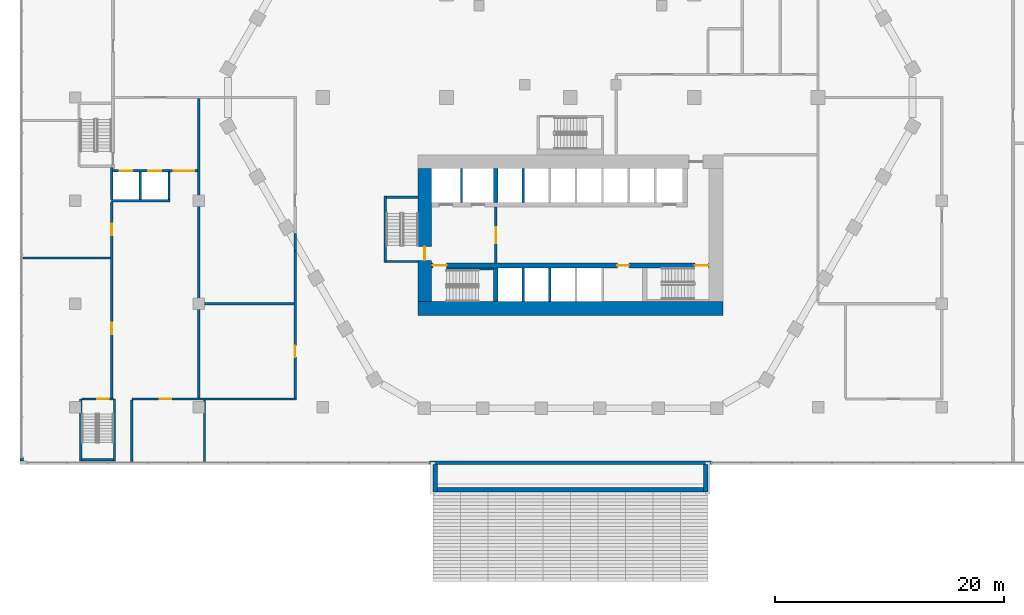
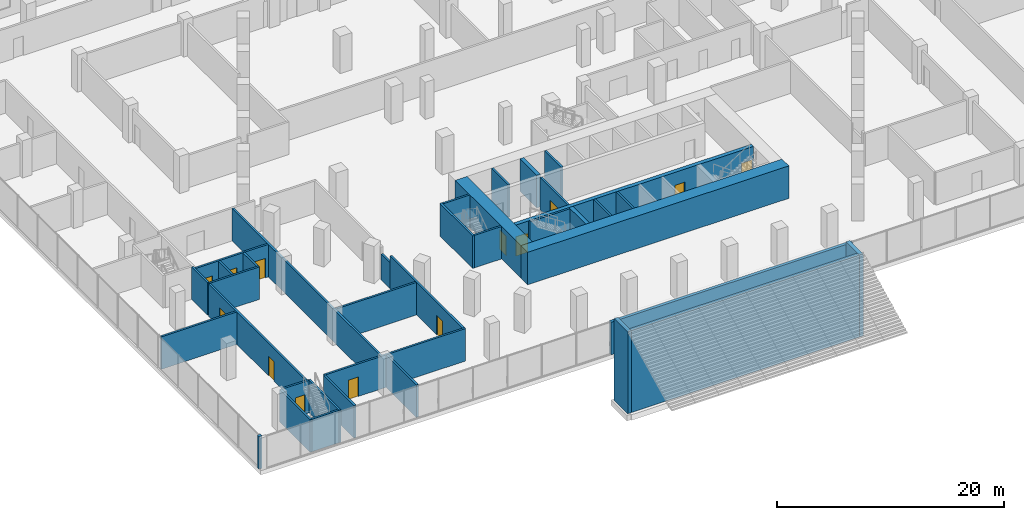
# One storey, part 14 of 45: 38 walls, 13 doors, 13 openings.
"""IFC4 building model written with IfcOpenShell, lengths in metres."""

from ifc_helpers import new_model, si_unit, direction, frame, frame_2d, origin, place, context, subcontext, project, spatial, rectangle, extrude, material, layer, layer_set, type_object, element, fill, save


model = new_model("IFC4")

# Units and contexts
model_context = context("Model", 3, precision=1e-05, world=origin(), true_north=direction((0.0, 1.0)))
body_context = subcontext(model_context, "Body", "Model", "MODEL_VIEW")
ifc_project = project(units=[si_unit("LENGTHUNIT", "METRE"), si_unit("AREAUNIT", "SQUARE_METRE"), si_unit("VOLUMEUNIT", "CUBIC_METRE"), si_unit("PLANEANGLEUNIT", "RADIAN"), si_unit("MASSUNIT", "GRAM", prefix="KILO")], contexts=[model_context])

# Site, building, storey
site_placement = place(None, origin())
site = spatial("IfcSite", under=ifc_project, at=site_placement, CompositionType="ELEMENT")
building_placement = place(site_placement, origin())
building = spatial("IfcBuilding", under=site, at=building_placement, Name="Beryl Residences", CompositionType="ELEMENT")
storey_placement = place(building_placement, frame((0.0, 0.0, 5.0)))
storey = spatial("IfcBuildingStorey", under=building, at=storey_placement, Name="L01", CompositionType="ELEMENT", Elevation=5.0)

# Walls
ifc_material_1 = material(Name="Composite metal panel with mineral wool insulation")
ifc_layer_1 = layer(ifc_material_1, 0.300048828125)
ifc_layer_set_1 = layer_set([ifc_layer_1], Name="ES1 pale metal composite panel wall 300 mm")
wall_type_1 = type_object("IfcWallType", Name="ES1 pale metal composite panel wall 300 mm", PredefinedType="SOLIDWALL", material=ifc_layer_set_1)
wall_1_placement = place(storey_placement, frame((-12.300048828125, -31.85009765625, 0.0), z_axis=(0.0, 0.0, 1.0), x_axis=(1.0, 0.0, 0.0)))
element("IfcWall", 1, at=wall_1_placement, inside=storey, type_object=wall_type_1, Name="ES1 external wall L01 S 3", PredefinedType="SOLIDWALL", context=body_context, shape_type="SweptSolid", body=[
    extrude(rectangle(XDim=24.60009765625, YDim=0.300048828125, at=frame_2d((12.300048828125, 0.0))), origin(), (0.0, 0.0, 1.0), 3.5),
])
wall_2_placement = place(storey_placement, frame((-47.85009765625, -31.39990234375, 0.0), z_axis=(0.0, 0.0, 1.0), x_axis=(0.0, -1.0, 0.0)))
element("IfcWall", 2, at=wall_2_placement, inside=storey, type_object=wall_type_1, Name="ES1 external wall L01 W 3", PredefinedType="SOLIDWALL", context=body_context, shape_type="SweptSolid", body=[
    extrude(rectangle(XDim=0.300048828125, YDim=0.300048828125, at=frame_2d((0.14990234375, 0.0))), origin(), (0.0, 0.0, 1.0), 3.5),
])

# Wall, opening, door
ifc_material_2 = material(Name="Double stud gypsum board wall")
ifc_layer_2 = layer(ifc_material_2, 0.199951171875)
ifc_layer_set_2 = layer_set([ifc_layer_2], Name="PT10 tenancy wall 200 mm")
wall_type_2 = type_object("IfcWallType", Name="PT10 tenancy wall 200 mm", PredefinedType="PARTITIONING", material=ifc_layer_set_2)
wall_3_placement = place(storey_placement, frame((-38.25, -26.300048828125, 0.0), z_axis=(0.0, 0.0, 1.0), x_axis=(1.0, 0.0, 0.0)))
wall_3 = element("IfcWall", 3, at=wall_3_placement, inside=storey, type_object=wall_type_2, Name="Wall PT10 L01 001", PredefinedType="PARTITIONING", context=body_context, shape_type="SweptSolid", body=[
    extrude(rectangle(XDim=14.35009765625, YDim=0.199951171875, at=frame_2d((7.175048828125, 0.0))), origin(), (0.0, 0.0, 1.0), 3.5),
])
opening_1_placement = place(wall_3_placement, frame((3.424072265625, 0.0, 0.0), z_axis=(0.0, 0.0, 1.0), x_axis=(-1.0, 0.0, 0.0)))
opening_1 = element("IfcOpeningElement", 4, at=opening_1_placement, cuts=wall_3, Name="Opening L01-06", PredefinedType="OPENING", context=body_context, shape_type="SweptSolid", body=[
    extrude(rectangle(XDim=1.0, YDim=2.10009765625, at=frame_2d((0.5, 1.050048828125))), frame((0.0, 0.10986328125, 0.0), z_axis=(0.0, -1.0, 0.0), x_axis=(1.0, 0.0, 0.0)), (0.0, 0.0, 1.0), 0.219970703125),
])
ifc_material_3 = material(Name="Timber door leaf", Category="wood")
door_type_1 = type_object("IfcDoorType", Name="D9 corridor door 1000 x 2100 mm", OperationType="SINGLE_SWING_LEFT", PredefinedType="DOOR", material=ifc_material_3)
door_1_placement = place(opening_1_placement, origin())
door_1 = element("IfcDoor", 5, at=door_1_placement, inside=storey, type_object=door_type_1, Name="Door L01-06 L01 001", OperationType="SINGLE_SWING_LEFT", OverallHeight=2.10009765625, OverallWidth=1.0, PredefinedType="DOOR", context=body_context, shape_type="SweptSolid", body=[
    extrude(rectangle(XDim=1.0, YDim=2.10009765625, at=frame_2d((0.5, 1.050048828125))), frame((0.0, 0.02490234375, 0.0), z_axis=(0.0, -1.0, 0.0), x_axis=(1.0, 0.0, 0.0)), (0.0, 0.0, 1.0), 0.050048828125),
])
fill(opening_1, door_1)

# Walls
wall_4_placement = place(storey_placement, frame((-32.300048828125, -18.0, 0.0), z_axis=(0.0, 0.0, 1.0), x_axis=(1.0, 0.0, 0.0)))
element("IfcWall", 6, at=wall_4_placement, inside=storey, type_object=wall_type_2, Name="Wall PT10 L01 003", PredefinedType="PARTITIONING", context=body_context, shape_type="SweptSolid", body=[
    extrude(rectangle(XDim=8.199951171875, YDim=0.199951171875, at=frame_2d((4.10009765625, 0.0))), origin(), (0.0, 0.0, 1.0), 3.5),
])
wall_5_placement = place(storey_placement, frame((-47.75, -14.0, 0.0), z_axis=(0.0, 0.0, 1.0), x_axis=(1.0, 0.0, 0.0)))
element("IfcWall", 7, at=wall_5_placement, inside=storey, type_object=wall_type_2, Name="Wall PT10 L01 005", PredefinedType="PARTITIONING", context=body_context, shape_type="SweptSolid", body=[
    extrude(rectangle(XDim=7.64990234375, YDim=0.199951171875, at=frame_2d((3.824951171875, 0.0))), origin(), (0.0, 0.0, 1.0), 3.5),
])

# Wall, openings, doors
wall_6_placement = place(storey_placement, frame((-40.0, -26.199951171875, 0.0), z_axis=(0.0, 0.0, 1.0), x_axis=(0.0, 1.0, 0.0)))
wall_6 = element("IfcWall", 8, at=wall_6_placement, inside=storey, type_object=wall_type_2, Name="Wall PT10 L01 031", PredefinedType="PARTITIONING", context=body_context, shape_type="SweptSolid", body=[
    extrude(rectangle(XDim=17.079833984375, YDim=0.199951171875, at=frame_2d((8.5400390625, 0.0))), origin(), (0.0, 0.0, 1.0), 3.5),
])
opening_2_placement = place(wall_6_placement, frame((5.552001953125, 0.0, 0.0)))
opening_2 = element("IfcOpeningElement", 9, at=opening_2_placement, cuts=wall_6, Name="Opening L01-01", PredefinedType="OPENING", context=body_context, shape_type="SweptSolid", body=[
    extrude(rectangle(XDim=1.0, YDim=2.10009765625, at=frame_2d((0.5, 1.050048828125))), frame((0.0, 0.10986328125, 0.0), z_axis=(0.0, -1.0, 0.0), x_axis=(1.0, 0.0, 0.0)), (0.0, 0.0, 1.0), 0.219970703125),
])
opening_3_placement = place(wall_6_placement, frame((14.197998046875, 0.0, 0.0)))
opening_3 = element("IfcOpeningElement", 10, at=opening_3_placement, cuts=wall_6, Name="Opening L01-02", PredefinedType="OPENING", context=body_context, shape_type="SweptSolid", body=[
    extrude(rectangle(XDim=1.0, YDim=2.10009765625, at=frame_2d((0.5, 1.050048828125))), frame((0.0, 0.10986328125, 0.0), z_axis=(0.0, -1.0, 0.0), x_axis=(1.0, 0.0, 0.0)), (0.0, 0.0, 1.0), 0.219970703125),
])
door_2_placement = place(opening_2_placement, origin())
door_2 = element("IfcDoor", 11, at=door_2_placement, inside=storey, type_object=door_type_1, Name="Door L01-01 L01 001", OperationType="SINGLE_SWING_LEFT", OverallHeight=2.10009765625, OverallWidth=1.0, PredefinedType="DOOR", context=body_context, shape_type="SweptSolid", body=[
    extrude(rectangle(XDim=1.0, YDim=2.10009765625, at=frame_2d((0.5, 1.050048828125))), frame((0.0, 0.02490234375, 0.0), z_axis=(0.0, -1.0, 0.0), x_axis=(1.0, 0.0, 0.0)), (0.0, 0.0, 1.0), 0.050048828125),
])
fill(opening_2, door_2)
door_3_placement = place(opening_3_placement, origin())
door_3 = element("IfcDoor", 12, at=door_3_placement, inside=storey, type_object=door_type_1, Name="Door L01-02 L01 001", OperationType="SINGLE_SWING_RIGHT", OverallHeight=2.10009765625, OverallWidth=1.0, PredefinedType="DOOR", context=body_context, shape_type="SweptSolid", body=[
    extrude(rectangle(XDim=1.0, YDim=2.10009765625, at=frame_2d((0.5, 1.050048828125))), frame((0.0, 0.02490234375, 0.0), z_axis=(0.0, -1.0, 0.0), x_axis=(1.0, 0.0, 0.0)), (0.0, 0.0, 1.0), 0.050048828125),
])
fill(opening_3, door_3)

# Walls
for number, where, z_axis, x_axis, name in (
    (13, (-38.25, -31.75, 0.0), (0.0, 0.0, 1.0), (0.0, 1.0, 0.0), "Wall PT10 L01 032"),
    (14, (-31.89990234375, -31.75, 0.0), (0.0, 0.0, 1.0), (0.0, 1.0, 0.0), "Wall PT10 L01 034"),
):
    element("IfcWall", number, at=place(storey_placement, frame(where, z_axis=z_axis, x_axis=x_axis)), inside=storey, type_object=wall_type_2, Name=name, PredefinedType="PARTITIONING", context=body_context, shape_type="SweptSolid", body=[
        extrude(rectangle(XDim=5.35009765625, YDim=0.199951171875, at=frame_2d((2.675048828125, 0.0))), origin(), (0.0, 0.0, 1.0), 3.5),
    ])

# Wall, opening, door
wall_7_placement = place(storey_placement, frame((-24.0, -26.199951171875, 0.0), z_axis=(0.0, 0.0, 1.0), x_axis=(0.0, 1.0, 0.0)))
wall_7 = element("IfcWall", 15, at=wall_7_placement, inside=storey, type_object=wall_type_2, Name="Wall PT10 L01 035", PredefinedType="PARTITIONING", context=body_context, shape_type="SweptSolid", body=[
    extrude(rectangle(XDim=12.7958984375, YDim=0.199951171875, at=frame_2d((6.39794921875, 0.0))), origin(), (0.0, 0.0, 1.0), 3.5),
])
opening_4_placement = place(wall_7_placement, frame((3.552001953125, 0.0, 0.0)))
opening_4 = element("IfcOpeningElement", 16, at=opening_4_placement, cuts=wall_7, Name="Opening L01-20", PredefinedType="OPENING", context=body_context, shape_type="SweptSolid", body=[
    extrude(rectangle(XDim=1.0, YDim=2.10009765625, at=frame_2d((0.5, 1.050048828125))), frame((0.0, 0.10986328125, 0.0), z_axis=(0.0, -1.0, 0.0), x_axis=(1.0, 0.0, 0.0)), (0.0, 0.0, 1.0), 0.219970703125),
])
door_4_placement = place(opening_4_placement, origin())
door_4 = element("IfcDoor", 17, at=door_4_placement, inside=storey, type_object=door_type_1, Name="Door L01-20 L01 001", OperationType="SINGLE_SWING_RIGHT", OverallHeight=2.10009765625, OverallWidth=1.0, PredefinedType="DOOR", context=body_context, shape_type="SweptSolid", body=[
    extrude(rectangle(XDim=1.0, YDim=2.10009765625, at=frame_2d((0.5, 1.050048828125))), frame((0.0, 0.02490234375, 0.0), z_axis=(0.0, -1.0, 0.0), x_axis=(1.0, 0.0, 0.0)), (0.0, 0.0, 1.0), 0.050048828125),
])
fill(opening_4, door_4)

# Wall
wall_8_placement = place(storey_placement, frame((-24.0, -13.404052734375, 0.0), z_axis=(0.0, 0.0, 1.0), x_axis=(0.0, 1.0, 0.0)))
element("IfcWall", 18, at=wall_8_placement, inside=storey, type_object=wall_type_2, Name="Wall PT10 L01 036", PredefinedType="PARTITIONING", context=body_context, shape_type="SweptSolid", body=[
    extrude(rectangle(XDim=1.546142578125, YDim=0.199951171875, at=frame_2d((0.77294921875, 0.0))), origin(), (0.0, 0.0, 1.0), 2.77001953125),
])

# Wall, opening, door
ifc_material_4 = material(Name="Concrete masonry", Category="masonry")
ifc_layer_3 = layer(ifc_material_4, 0.199951171875)
ifc_layer_set_3 = layer_set([ifc_layer_3], Name="PT13 lobby wall 200 mm")
wall_type_3 = type_object("IfcWallType", Name="PT13 lobby wall 200 mm", PredefinedType="PARTITIONING", material=ifc_layer_set_3)
wall_9_placement = place(storey_placement, frame((-6.5, -14.449951171875, 0.0), z_axis=(0.0, 0.0, 1.0), x_axis=(0.0, 1.0, 0.0)))
wall_9 = element("IfcWall", 19, at=wall_9_placement, inside=storey, type_object=wall_type_3, Name="Lobby wall 06", PredefinedType="PARTITIONING", context=body_context, shape_type="SweptSolid", body=[
    extrude(rectangle(XDim=4.89990234375, YDim=0.199951171875, at=frame_2d((2.449951171875, 0.0))), origin(), (0.0, 0.0, 1.0), 3.5),
])
opening_5_placement = place(wall_9_placement, frame((3.14990234375, 0.0, 0.0), z_axis=(0.0, 0.0, 1.0), x_axis=(-1.0, 0.0, 0.0)))
opening_5 = element("IfcOpeningElement", 20, at=opening_5_placement, cuts=wall_9, Name="Opening FD-FFL", PredefinedType="OPENING", context=body_context, shape_type="SweptSolid", body=[
    extrude(rectangle(XDim=1.39990234375, YDim=2.10009765625, at=frame_2d((0.699951171875, 1.050048828125))), frame((0.0, 0.10986328125, 0.0), z_axis=(0.0, -1.0, 0.0), x_axis=(1.0, 0.0, 0.0)), (0.0, 0.0, 1.0), 0.219970703125),
])
ifc_material_5 = material(Name="Steel door leaf in steel frame", Category="steel")
door_type_2 = type_object("IfcDoorType", Name="D5 lobby door 1400 x 2100 mm", OperationType="DOUBLE_DOOR_SINGLE_SWING", PredefinedType="DOOR", material=ifc_material_5)
door_5_placement = place(opening_5_placement, origin())
door_5 = element("IfcDoor", 21, at=door_5_placement, inside=storey, type_object=door_type_2, Name="Door FD-FFL L01 001", OperationType="DOUBLE_DOOR_SINGLE_SWING", OverallHeight=2.10009765625, OverallWidth=1.39990234375, PredefinedType="DOOR", context=body_context, shape_type="SweptSolid", body=[
    extrude(rectangle(XDim=1.39990234375, YDim=2.10009765625, at=frame_2d((0.699951171875, 1.050048828125))), frame((0.0, 0.02490234375, 0.0), z_axis=(0.0, -1.0, 0.0), x_axis=(1.0, 0.0, 0.0)), (0.0, 0.0, 1.0), 0.050048828125),
])
fill(opening_5, door_5)

ifc_material_6 = material(Name="Double stud gypsum board wall")
ifc_layer_4 = layer(ifc_material_6, 0.199951171875)
ifc_layer_set_4 = layer_set([ifc_layer_4], Name="PT4 corridor wall 200 mm double stud")
wall_type_4 = type_object("IfcWallType", Name="PT4 corridor wall 200 mm double stud", PredefinedType="PARTITIONING", material=ifc_layer_set_4)
wall_10_placement = place(storey_placement, frame((-34.8798828125, -6.39990234375, 0.0), z_axis=(0.0, 0.0, 1.0), x_axis=(1.0, 0.0, 0.0)))
wall_10 = element("IfcWall", 22, at=wall_10_placement, inside=storey, type_object=wall_type_4, Name="Wall PT4 L01 001", PredefinedType="PARTITIONING", context=body_context, shape_type="SweptSolid", body=[
    extrude(rectangle(XDim=2.3798828125, YDim=0.199951171875, at=frame_2d((1.18994140625, 0.0))), origin(), (0.0, 0.0, 1.0), 3.5),
])
opening_6_placement = place(wall_10_placement, frame((2.080078125, 0.0, 0.0), z_axis=(0.0, 0.0, 1.0), x_axis=(-1.0, 0.0, 0.0)))
opening_6 = element("IfcOpeningElement", 23, at=opening_6_placement, cuts=wall_10, Name="Opening L01-35", PredefinedType="OPENING", context=body_context, shape_type="SweptSolid", body=[
    extrude(rectangle(XDim=1.800048828125, YDim=2.10009765625, at=frame_2d((0.89990234375, 1.050048828125))), frame((0.0, 0.10986328125, 0.0), z_axis=(0.0, -1.0, 0.0), x_axis=(1.0, 0.0, 0.0)), (0.0, 0.0, 1.0), 0.219970703125),
])
ifc_material_7 = material(Name="Timber door leaf", Category="wood")
door_type_3 = type_object("IfcDoorType", Name="D20 corridor door 1800 x 2100 mm", OperationType="DOUBLE_DOOR_SINGLE_SWING", PredefinedType="DOOR", material=ifc_material_7)
door_6_placement = place(opening_6_placement, origin())
door_6 = element("IfcDoor", 24, at=door_6_placement, inside=storey, type_object=door_type_3, Name="Door L01-35 L01 001", OperationType="DOUBLE_DOOR_SINGLE_SWING", OverallHeight=2.10009765625, OverallWidth=1.800048828125, PredefinedType="DOOR", context=body_context, shape_type="SweptSolid", body=[
    extrude(rectangle(XDim=1.800048828125, YDim=2.10009765625, at=frame_2d((0.89990234375, 1.050048828125))), frame((0.0, 0.02490234375, 0.0), z_axis=(0.0, -1.0, 0.0), x_axis=(1.0, 0.0, 0.0)), (0.0, 0.0, 1.0), 0.050048828125),
])
fill(opening_6, door_6)

# Wall
wall_11_placement = place(storey_placement, frame((-32.39990234375, -26.199951171875, 0.0), z_axis=(0.0, 0.0, 1.0), x_axis=(0.0, 1.0, 0.0)))
element("IfcWall", 25, at=wall_11_placement, inside=storey, type_object=wall_type_4, Name="Wall PT4 L01 007", PredefinedType="PARTITIONING", context=body_context, shape_type="SweptSolid", body=[
    extrude(rectangle(XDim=26.099853515625, YDim=0.199951171875, at=frame_2d((13.0498046875, 0.0))), origin(), (0.0, 0.0, 1.0), 3.5),
])

# Wall, opening, door
ifc_material_8 = material(Name="Concrete C40/50", Category="concrete")
ifc_layer_5 = layer(ifc_material_8, 0.199951171875)
ifc_layer_set_5 = layer_set([ifc_layer_5], Name="PT5 stair enclosure wall 200 mm reinforced concrete C40/50")
wall_type_5 = type_object("IfcWallType", Name="PT5 stair enclosure wall 200 mm reinforced concrete C40/50", PredefinedType="SOLIDWALL", material=ifc_layer_set_5)
wall_12_placement = place(storey_placement, frame((-42.60009765625, -26.300048828125, 0.0), z_axis=(0.0, 0.0, 1.0), x_axis=(1.0, 0.0, 0.0)))
wall_12 = element("IfcWall", 26, at=wall_12_placement, inside=storey, type_object=wall_type_5, Name="Wall PT5 L01 004", PredefinedType="SOLIDWALL", context=body_context, shape_type="SweptSolid", body=[
    extrude(rectangle(XDim=2.75, YDim=0.199951171875, at=frame_2d((1.375, 0.0))), origin(), (0.0, 0.0, 1.0), 3.5),
])
opening_7_placement = place(wall_12_placement, frame((2.35400390625, 0.0, 0.0), z_axis=(0.0, 0.0, 1.0), x_axis=(-1.0, 0.0, 0.0)))
opening_7 = element("IfcOpeningElement", 27, at=opening_7_placement, cuts=wall_12, Name="Opening L01-31", PredefinedType="OPENING", context=body_context, shape_type="SweptSolid", body=[
    extrude(rectangle(XDim=1.0, YDim=2.10009765625, at=frame_2d((0.5, 1.050048828125))), frame((0.0, 0.10986328125, 0.0), z_axis=(0.0, -1.0, 0.0), x_axis=(1.0, 0.0, 0.0)), (0.0, 0.0, 1.0), 0.219970703125),
])
ifc_material_9 = material(Name="Steel door leaf in steel frame", Category="steel")
door_type_4 = type_object("IfcDoorType", Name="D15 stair door 1000 x 2100 mm", OperationType="SINGLE_SWING_LEFT", PredefinedType="DOOR", material=ifc_material_9)
door_7_placement = place(opening_7_placement, origin())
door_7 = element("IfcDoor", 28, at=door_7_placement, inside=storey, type_object=door_type_4, Name="Door L01-31 L01 001", OperationType="SINGLE_SWING_LEFT", OverallHeight=2.10009765625, OverallWidth=1.0, PredefinedType="DOOR", context=body_context, shape_type="SweptSolid", body=[
    extrude(rectangle(XDim=1.0, YDim=2.10009765625, at=frame_2d((0.5, 1.050048828125))), frame((0.0, 0.02490234375, 0.0), z_axis=(0.0, -1.0, 0.0), x_axis=(1.0, 0.0, 0.0)), (0.0, 0.0, 1.0), 0.050048828125),
])
fill(opening_7, door_7)

# Walls
for number, where, z_axis, x_axis, name in (
    (29, (-42.699951171875, -31.699951171875, 0.0), (0.0, 0.0, 1.0), (0.0, 1.0, 0.0), "Wall PT5 L01 014"),
    (30, (-39.75, -31.699951171875, 0.0), (0.0, 0.0, 1.0), (0.0, 1.0, 0.0), "Wall PT5 L01 016"),
):
    element("IfcWall", number, at=place(storey_placement, frame(where, z_axis=z_axis, x_axis=x_axis)), inside=storey, type_object=wall_type_5, Name=name, PredefinedType="SOLIDWALL", context=body_context, shape_type="SweptSolid", body=[
        extrude(rectangle(XDim=5.39990234375, YDim=0.199951171875, at=frame_2d((2.699951171875, 0.0))), origin(), (0.0, 0.0, 1.0), 3.5),
    ])
wall_13_placement = place(storey_placement, frame((-42.60009765625, -31.60009765625, 0.0), z_axis=(0.0, 0.0, 1.0), x_axis=(1.0, 0.0, 0.0)))
element("IfcWall", 31, at=wall_13_placement, inside=storey, type_object=wall_type_5, Name="Wall PT5 L01 025", PredefinedType="SOLIDWALL", context=body_context, shape_type="SweptSolid", body=[
    extrude(rectangle(XDim=2.75, YDim=0.199951171875, at=frame_2d((1.375, 0.0))), origin(), (0.0, 0.0, 1.0), 3.5),
])
wall_14_placement = place(storey_placement, frame((-16.14990234375, -14.39990234375, 0.0), z_axis=(0.0, 0.0, 1.0), x_axis=(0.0, 1.0, 0.0)))
element("IfcWall", 32, at=wall_14_placement, inside=storey, type_object=wall_type_5, Name="Stair wall 01", PredefinedType="SOLIDWALL", context=body_context, shape_type="SweptSolid", body=[
    extrude(rectangle(XDim=5.7998046875, YDim=0.199951171875, at=frame_2d((2.89990234375, 0.0))), origin(), (0.0, 0.0, 1.0), 3.5),
])
for number, where, z_axis, x_axis, name in (
    (33, (-16.050048828125, -14.300048828125, 0.0), (0.0, 0.0, 1.0), (1.0, 0.0, 0.0), "Stair wall 02"),
    (34, (-16.050048828125, -8.699951171875, 0.0), (0.0, 0.0, 1.0), (1.0, 0.0, 0.0), "Stair wall 03"),
):
    element("IfcWall", number, at=place(storey_placement, frame(where, z_axis=z_axis, x_axis=x_axis)), inside=storey, type_object=wall_type_5, Name=name, PredefinedType="SOLIDWALL", context=body_context, shape_type="SweptSolid", body=[
        extrude(rectangle(XDim=2.75, YDim=0.199951171875, at=frame_2d((1.375, 0.0))), origin(), (0.0, 0.0, 1.0), 3.5),
    ])
wall_15_placement = place(storey_placement, frame((-10.800048828125, -14.949951171875, 0.0), z_axis=(0.0, 0.0, 1.0), x_axis=(1.0, 0.0, 0.0)))
element("IfcWall", 35, at=wall_15_placement, inside=storey, type_object=wall_type_5, Name="Stair wall 04", PredefinedType="SOLIDWALL", context=body_context, shape_type="SweptSolid", body=[
    extrude(rectangle(XDim=4.10009765625, YDim=0.199951171875, at=frame_2d((2.050048828125, 0.0))), origin(), (0.0, 0.0, 1.0), 3.5),
])
ifc_material_10 = material(Name="Concrete C40/50", Category="concrete")
ifc_layer_6 = layer(ifc_material_10, 0.199951171875)
ifc_layer_set_6 = layer_set([ifc_layer_6], Name="PT6 lift shaft wall 200 mm reinforced concrete C40/50")
wall_type_6 = type_object("IfcWallType", Name="PT6 lift shaft wall 200 mm reinforced concrete C40/50", PredefinedType="SOLIDWALL", material=ifc_layer_set_6)
wall_16_placement = place(storey_placement, frame((-40.0, -9.0, 0.0), z_axis=(0.0, 0.0, 1.0), x_axis=(1.0, 0.0, 0.0)))
element("IfcWall", 36, at=wall_16_placement, inside=storey, type_object=wall_type_6, Name="Wall PT6 L01 001", PredefinedType="SOLIDWALL", context=body_context, shape_type="SweptSolid", body=[
    extrude(rectangle(XDim=5.10009765625, YDim=0.199951171875, at=frame_2d((2.550048828125, 0.0))), origin(), (0.0, 0.0, 1.0), 3.5),
])

# Wall, openings, doors
wall_17_placement = place(storey_placement, frame((-40.0, -6.39990234375, 0.0), z_axis=(0.0, 0.0, 1.0), x_axis=(1.0, 0.0, 0.0)))
wall_17 = element("IfcWall", 37, at=wall_17_placement, inside=storey, type_object=wall_type_6, Name="Wall PT6 L01 002", PredefinedType="SOLIDWALL", context=body_context, shape_type="SweptSolid", body=[
    extrude(rectangle(XDim=5.10009765625, YDim=0.199951171875, at=frame_2d((2.550048828125, 0.0))), origin(), (0.0, 0.0, 1.0), 3.5),
])
opening_8_placement = place(wall_17_placement, frame((0.699951171875, 0.0, 0.0)))
opening_8 = element("IfcOpeningElement", 38, at=opening_8_placement, cuts=wall_17, Name="Opening LD-PG1", PredefinedType="OPENING", context=body_context, shape_type="SweptSolid", body=[
    extrude(rectangle(XDim=1.10009765625, YDim=2.10009765625, at=frame_2d((0.550048828125, 1.050048828125))), frame((0.0, 0.10986328125, 0.0), z_axis=(0.0, -1.0, 0.0), x_axis=(1.0, 0.0, 0.0)), (0.0, 0.0, 1.0), 0.219970703125),
])
opening_9_placement = place(wall_17_placement, frame((3.199951171875, 0.0, 0.0)))
opening_9 = element("IfcOpeningElement", 39, at=opening_9_placement, cuts=wall_17, Name="Opening LD-PG2", PredefinedType="OPENING", context=body_context, shape_type="SweptSolid", body=[
    extrude(rectangle(XDim=1.10009765625, YDim=2.10009765625, at=frame_2d((0.550048828125, 1.050048828125))), frame((0.0, 0.10986328125, 0.0), z_axis=(0.0, -1.0, 0.0), x_axis=(1.0, 0.0, 0.0)), (0.0, 0.0, 1.0), 0.219970703125),
])
ifc_material_11 = material(Name="Stainless steel sliding door", Category="steel")
door_type_5 = type_object("IfcDoorType", Name="LD1 lift landing door 1100 x 2100 mm", OperationType="DOUBLE_DOOR_SLIDING", PredefinedType="DOOR", material=ifc_material_11)
door_8_placement = place(opening_8_placement, origin())
door_8 = element("IfcDoor", 40, at=door_8_placement, inside=storey, type_object=door_type_5, Name="Door LD-PG1 L01 001", OperationType="DOUBLE_DOOR_SLIDING", OverallHeight=2.10009765625, OverallWidth=1.10009765625, PredefinedType="DOOR", context=body_context, shape_type="SweptSolid", body=[
    extrude(rectangle(XDim=1.10009765625, YDim=2.10009765625, at=frame_2d((0.550048828125, 1.050048828125))), frame((0.0, 0.02490234375, 0.0), z_axis=(0.0, -1.0, 0.0), x_axis=(1.0, 0.0, 0.0)), (0.0, 0.0, 1.0), 0.050048828125),
])
fill(opening_8, door_8)
door_9_placement = place(opening_9_placement, origin())
door_9 = element("IfcDoor", 41, at=door_9_placement, inside=storey, type_object=door_type_5, Name="Door LD-PG2 L01 001", OperationType="DOUBLE_DOOR_SLIDING", OverallHeight=2.10009765625, OverallWidth=1.10009765625, PredefinedType="DOOR", context=body_context, shape_type="SweptSolid", body=[
    extrude(rectangle(XDim=1.10009765625, YDim=2.10009765625, at=frame_2d((0.550048828125, 1.050048828125))), frame((0.0, 0.02490234375, 0.0), z_axis=(0.0, -1.0, 0.0), x_axis=(1.0, 0.0, 0.0)), (0.0, 0.0, 1.0), 0.050048828125),
])
fill(opening_9, door_9)

# Walls
wall_18_placement = place(storey_placement, frame((-40.0, -8.89990234375, 0.0), z_axis=(0.0, 0.0, 1.0), x_axis=(0.0, 1.0, 0.0)))
element("IfcWall", 42, at=wall_18_placement, inside=storey, type_object=wall_type_6, Name="Wall PT6 L01 003", PredefinedType="SOLIDWALL", context=body_context, shape_type="SweptSolid", body=[
    extrude(rectangle(XDim=2.7998046875, YDim=0.199951171875, at=frame_2d((1.39990234375, 0.0))), origin(), (0.0, 0.0, 1.0), 3.5),
])
for number, where, z_axis, x_axis, name in (
    (43, (-37.5, -8.89990234375, 0.0), (0.0, 0.0, 1.0), (0.0, 1.0, 0.0), "Wall PT6 L01 004"),
    (44, (-35.0, -8.89990234375, 0.0), (0.0, 0.0, 1.0), (0.0, 1.0, 0.0), "Wall PT6 L01 005"),
):
    element("IfcWall", number, at=place(storey_placement, frame(where, z_axis=z_axis, x_axis=x_axis)), inside=storey, type_object=wall_type_6, Name=name, PredefinedType="SOLIDWALL", context=body_context, shape_type="SweptSolid", body=[
        extrude(rectangle(XDim=2.39990234375, YDim=0.199951171875, at=frame_2d((1.199951171875, 0.0))), origin(), (0.0, 0.0, 1.0), 3.5),
    ])
for number, where, z_axis, x_axis, name in (
    (45, (-9.5, -9.14990234375, 0.0), (0.0, 0.0, 1.0), (0.0, 1.0, 0.0), "Lift shaft wall 05"),
    (46, (-4.10009765625, -17.800048828125, 0.0), (0.0, 0.0, 1.0), (0.0, 1.0, 0.0), "Lift shaft wall 07"),
    (47, (-4.10009765625, -9.14990234375, 0.0), (0.0, 0.0, 1.0), (0.0, 1.0, 0.0), "Lift shaft wall 08"),
    (48, (-1.800048828125, -17.800048828125, 0.0), (0.0, 0.0, 1.0), (0.0, 1.0, 0.0), "Lift shaft wall 09"),
):
    element("IfcWall", number, at=place(storey_placement, frame(where, z_axis=z_axis, x_axis=x_axis)), inside=storey, type_object=wall_type_6, Name=name, PredefinedType="SOLIDWALL", context=body_context, shape_type="SweptSolid", body=[
        extrude(rectangle(XDim=2.949951171875, YDim=0.199951171875, at=frame_2d((1.47509765625, 0.0))), origin(), (0.0, 0.0, 1.0), 3.5),
    ])
ifc_material_12 = material(Name="Concrete C80/95", Category="concrete")
ifc_layer_7 = layer(ifc_material_12, 1.199951171875)
ifc_layer_set_7 = layer_set([ifc_layer_7], Name="SW1 core outer wall 1200 mm C80/95")
wall_type_7 = type_object("IfcWallType", Name="SW1 core outer wall 1200 mm C80/95", PredefinedType="SHEAR", material=ifc_layer_set_7)
wall_19_placement = place(storey_placement, frame((-13.300048828125, -18.39990234375, 0.0), z_axis=(0.0, 0.0, 1.0), x_axis=(1.0, 0.0, 0.0)))
element("IfcWall", 49, at=wall_19_placement, inside=storey, type_object=wall_type_7, Name="Core wall S L01", PredefinedType="SHEAR", context=body_context, shape_type="SweptSolid", body=[
    extrude(rectangle(XDim=26.60009765625, YDim=1.199951171875, at=frame_2d((13.300048828125, 0.0))), origin(), (0.0, 0.0, 1.0), 3.5),
])

# Wall, opening, door
wall_20_placement = place(storey_placement, frame((-12.699951171875, -17.800048828125, 0.0), z_axis=(0.0, 0.0, 1.0), x_axis=(0.0, 1.0, 0.0)))
wall_20 = element("IfcWall", 50, at=wall_20_placement, inside=storey, type_object=wall_type_7, Name="Core wall W L01", PredefinedType="SHEAR", context=body_context, shape_type="SweptSolid", body=[
    extrude(rectangle(XDim=11.60009765625, YDim=1.199951171875, at=frame_2d((5.800048828125, 0.0))), origin(), (0.0, 0.0, 1.0), 3.5),
])
opening_10_placement = place(wall_20_placement, frame((3.60009765625, 0.0, 0.0)))
opening_10 = element("IfcOpeningElement", 51, at=opening_10_placement, cuts=wall_20, Name="Opening SD-2", PredefinedType="OPENING", context=body_context, shape_type="SweptSolid", body=[
    extrude(rectangle(XDim=1.199951171875, YDim=2.10009765625, at=frame_2d((0.60009765625, 1.050048828125))), frame((0.0, 0.60986328125, 0.0), z_axis=(0.0, -1.0, 0.0), x_axis=(1.0, 0.0, 0.0)), (0.0, 0.0, 1.0), 1.219970703125),
])
ifc_material_13 = material(Name="Steel door leaf in steel frame", Category="steel")
door_type_6 = type_object("IfcDoorType", Name="D4 stair door 1200 x 2100 mm", OperationType="SINGLE_SWING_LEFT", PredefinedType="DOOR", material=ifc_material_13)
door_10_placement = place(opening_10_placement, origin())
door_10 = element("IfcDoor", 52, at=door_10_placement, inside=storey, type_object=door_type_6, Name="Door SD-2 L01 001", OperationType="SINGLE_SWING_RIGHT", OverallHeight=2.10009765625, OverallWidth=1.199951171875, PredefinedType="DOOR", context=body_context, shape_type="SweptSolid", body=[
    extrude(rectangle(XDim=1.199951171875, YDim=2.10009765625, at=frame_2d((0.60009765625, 1.050048828125))), frame((0.0, 0.02490234375, 0.0), z_axis=(0.0, -1.0, 0.0), x_axis=(1.0, 0.0, 0.0)), (0.0, 0.0, 1.0), 0.050048828125),
])
fill(opening_10, door_10)

# Wall, openings, doors
ifc_material_14 = material(Name="Concrete C80/95", Category="concrete")
ifc_layer_8 = layer(ifc_material_14, 0.39990234375)
ifc_layer_set_8 = layer_set([ifc_layer_8], Name="SW6 core internal wall 400 mm C80/95")
wall_type_8 = type_object("IfcWallType", Name="SW6 core internal wall 400 mm C80/95", PredefinedType="SHEAR", material=ifc_layer_set_8)
wall_21_placement = place(storey_placement, frame((-12.10009765625, -14.64990234375, 0.0), z_axis=(0.0, 0.0, 1.0), x_axis=(1.0, 0.0, 0.0)))
wall_21 = element("IfcWall", 53, at=wall_21_placement, inside=storey, type_object=wall_type_8, Name="Core wall SP1 L01", PredefinedType="SHEAR", context=body_context, shape_type="SweptSolid", body=[
    extrude(rectangle(XDim=24.2001953125, YDim=0.39990234375, at=frame_2d((12.10009765625, 0.0))), origin(), (0.0, 0.0, 1.0), 3.5),
])
opening_11_placement = place(wall_21_placement, frame((1.300048828125, 0.0, 0.0), z_axis=(0.0, 0.0, 1.0), x_axis=(-1.0, 0.0, 0.0)))
opening_11 = element("IfcOpeningElement", 54, at=opening_11_placement, cuts=wall_21, Name="Opening SD-1", PredefinedType="OPENING", context=body_context, shape_type="SweptSolid", body=[
    extrude(rectangle(XDim=1.199951171875, YDim=2.10009765625, at=frame_2d((0.60009765625, 1.050048828125))), frame((0.0, 0.2099609375, 0.0), z_axis=(0.0, -1.0, 0.0), x_axis=(1.0, 0.0, 0.0)), (0.0, 0.0, 1.0), 0.419921875),
])
opening_12_placement = place(wall_21_placement, frame((24.14990234375, 0.0, 0.0), z_axis=(0.0, 0.0, 1.0), x_axis=(-1.0, 0.0, 0.0)))
opening_12 = element("IfcOpeningElement", 55, at=opening_12_placement, cuts=wall_21, Name="Opening SD-3", PredefinedType="OPENING", context=body_context, shape_type="SweptSolid", body=[
    extrude(rectangle(XDim=1.199951171875, YDim=2.10009765625, at=frame_2d((0.60009765625, 1.050048828125))), frame((0.0, 0.2099609375, 0.0), z_axis=(0.0, -1.0, 0.0), x_axis=(1.0, 0.0, 0.0)), (0.0, 0.0, 1.0), 0.419921875),
])
opening_13_placement = place(wall_21_placement, frame((17.199951171875, 0.0, 0.0), z_axis=(0.0, 0.0, 1.0), x_axis=(-1.0, 0.0, 0.0)))
opening_13 = element("IfcOpeningElement", 56, at=opening_13_placement, cuts=wall_21, Name="Opening CD-D-S1", PredefinedType="OPENING", context=body_context, shape_type="SweptSolid", body=[
    extrude(rectangle(XDim=1.0, YDim=2.10009765625, at=frame_2d((0.5, 1.050048828125))), frame((0.0, 0.2099609375, 0.0), z_axis=(0.0, -1.0, 0.0), x_axis=(1.0, 0.0, 0.0)), (0.0, 0.0, 1.0), 0.419921875),
])
ifc_material_15 = material(Name="Steel door leaf in steel frame", Category="steel")
door_type_7 = type_object("IfcDoorType", Name="D18 service room door 1000 x 2100 mm", OperationType="SINGLE_SWING_LEFT", PredefinedType="DOOR", material=ifc_material_15)
door_11_placement = place(opening_13_placement, origin())
door_11 = element("IfcDoor", 57, at=door_11_placement, inside=storey, type_object=door_type_7, Name="Door CD-D-S1 L01 001", OperationType="SINGLE_SWING_RIGHT", OverallHeight=2.10009765625, OverallWidth=1.0, PredefinedType="DOOR", context=body_context, shape_type="SweptSolid", body=[
    extrude(rectangle(XDim=1.0, YDim=2.10009765625, at=frame_2d((0.5, 1.050048828125))), frame((0.0, 0.02490234375, 0.0), z_axis=(0.0, -1.0, 0.0), x_axis=(1.0, 0.0, 0.0)), (0.0, 0.0, 1.0), 0.050048828125),
])
fill(opening_13, door_11)
door_12_placement = place(opening_11_placement, origin())
door_12 = element("IfcDoor", 58, at=door_12_placement, inside=storey, type_object=door_type_6, Name="Door SD-1 L01 001", OperationType="SINGLE_SWING_RIGHT", OverallHeight=2.10009765625, OverallWidth=1.199951171875, PredefinedType="DOOR", context=body_context, shape_type="SweptSolid", body=[
    extrude(rectangle(XDim=1.199951171875, YDim=2.10009765625, at=frame_2d((0.60009765625, 1.050048828125))), frame((0.0, 0.02490234375, 0.0), z_axis=(0.0, -1.0, 0.0), x_axis=(1.0, 0.0, 0.0)), (0.0, 0.0, 1.0), 0.050048828125),
])
fill(opening_11, door_12)
door_13_placement = place(opening_12_placement, origin())
door_13 = element("IfcDoor", 59, at=door_13_placement, inside=storey, type_object=door_type_6, Name="Door SD-3 L01 001", OperationType="SINGLE_SWING_RIGHT", OverallHeight=2.10009765625, OverallWidth=1.199951171875, PredefinedType="DOOR", context=body_context, shape_type="SweptSolid", body=[
    extrude(rectangle(XDim=1.199951171875, YDim=2.10009765625, at=frame_2d((0.60009765625, 1.050048828125))), frame((0.0, 0.02490234375, 0.0), z_axis=(0.0, -1.0, 0.0), x_axis=(1.0, 0.0, 0.0)), (0.0, 0.0, 1.0), 0.050048828125),
])
fill(opening_12, door_13)

# Walls
for number, where, z_axis, x_axis, name in (
    (60, (-6.5, -17.800048828125, 0.0), (0.0, 0.0, 1.0), (0.0, 1.0, 0.0), "Core wall XS1 L01"),
    (61, (-6.5, -9.14990234375, 0.0), (0.0, 0.0, 1.0), (0.0, 1.0, 0.0), "Core wall XN1 L01"),
):
    element("IfcWall", number, at=place(storey_placement, frame(where, z_axis=z_axis, x_axis=x_axis)), inside=storey, type_object=wall_type_8, Name=name, PredefinedType="SHEAR", context=body_context, shape_type="SweptSolid", body=[
        extrude(rectangle(XDim=2.949951171875, YDim=0.39990234375, at=frame_2d((1.47509765625, 0.0))), origin(), (0.0, 0.0, 1.0), 3.5),
    ])
ifc_material_16 = material(Name="Precast concrete C40/50", Category="concrete")
ifc_layer_9 = layer(ifc_material_16, 0.39990234375)
ifc_layer_set_9 = layer_set([ifc_layer_9], Name="UW1 garden undercroft wall 400 mm")
wall_type_9 = type_object("IfcWallType", Name="UW1 garden undercroft wall 400 mm", PredefinedType="SOLIDWALL", material=ifc_layer_set_9)
wall_22_placement = place(storey_placement, frame((-11.60009765625, -34.199951171875, -5.0), z_axis=(0.0, 0.0, 1.0), x_axis=(1.0, 0.0, 0.0)))
element("IfcWall", 62, at=wall_22_placement, inside=storey, type_object=wall_type_9, Name="UW1 garden undercroft wall wall2", PredefinedType="SOLIDWALL", context=body_context, shape_type="SweptSolid", body=[
    extrude(rectangle(XDim=23.2001953125, YDim=0.39990234375, at=frame_2d((11.60009765625, 0.0))), origin(), (0.0, 0.0, 1.0), 8.800048828125),
])
for number, where, z_axis, x_axis, name in (
    (63, (-11.800048828125, -34.39990234375, -5.0), (0.0, 0.0, 1.0), (0.0, 1.0, 0.0), "UW1 garden undercroft wall wend-w2"),
    (64, (11.800048828125, -34.39990234375, -5.0), (0.0, 0.0, 1.0), (0.0, 1.0, 0.0), "UW1 garden undercroft wall wend-e2"),
):
    element("IfcWall", number, at=place(storey_placement, frame(where, z_axis=z_axis, x_axis=x_axis)), inside=storey, type_object=wall_type_9, Name=name, PredefinedType="SOLIDWALL", context=body_context, shape_type="SweptSolid", body=[
        extrude(rectangle(XDim=2.39990234375, YDim=0.39990234375, at=frame_2d((1.199951171875, 0.0))), origin(), (0.0, 0.0, 1.0), 8.800048828125),
    ])

save(model, "model.ifc")
